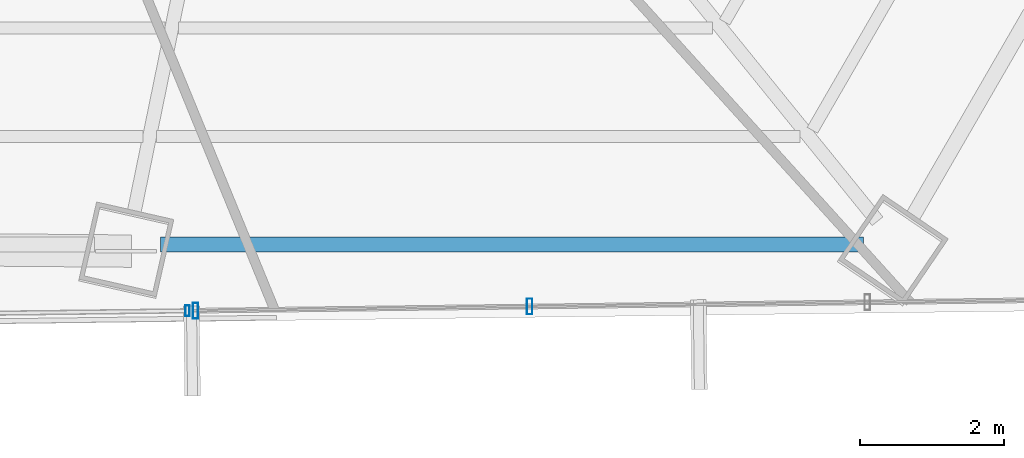
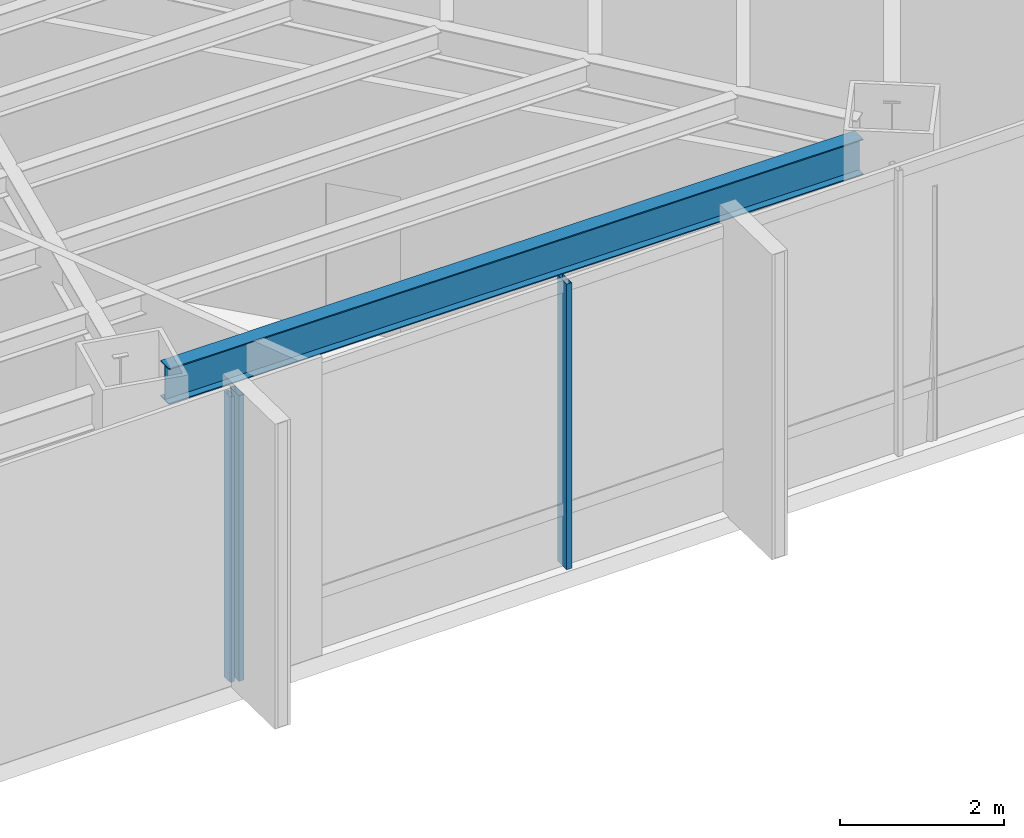
# One storey, part 15 of 37: 3 members, 1 beam, 2 elements without a shape of their own.
"""IFC4 building model written with IfcOpenShell, lengths in metres."""

import ifcopenshell
import ifcopenshell.guid

model = None  # the IFC model being written
_history = None  # IfcOwnerHistory: only IFC2X3 demands one
_inside = {}  # id of a spatial element -> (the spatial element, [elements in it])
_under = {}  # id of a project, library or spatial element -> (it, [spatial elements below it])
_declared = {}  # id of a project -> (the project, [libraries it declares])
_typed = {}  # id of a type object -> (the type object, [elements of that type])
_made_of = {}  # id of a material, layer set ... -> (it, [elements and type objects made of it])


def new_model(schema):
    """Start an empty IFC model of exactly this schema.

    Asked for "IFC4X3", IfcOpenShell would pick the latest addendum, in which some entities
    have other attributes; the version numbers below select the first issue.
    IFC2X3 requires an IfcOwnerHistory on every rooted entity: one is made here for all.
    """
    global model, _history
    if schema == "IFC4X3":
        model = ifcopenshell.file(schema_version=(4, 3, 0, 0))
    else:
        model = ifcopenshell.file(schema=schema)
    _inside.clear()
    _under.clear()
    _declared.clear()
    _typed.clear()
    _made_of.clear()
    _history = None
    if model.schema == "IFC2X3":
        org = make("IfcOrganization", Name="unknown")
        user = make(
            "IfcPersonAndOrganization",
            ThePerson=make("IfcPerson", FamilyName="unknown"),
            TheOrganization=org,
        )
        app = make(
            "IfcApplication",
            ApplicationDeveloper=org,
            Version="unknown",
            ApplicationFullName="unknown",
            ApplicationIdentifier="unknown",
        )
        _history = make(
            "IfcOwnerHistory",
            OwningUser=user,
            OwningApplication=app,
            ChangeAction="ADDED",
            CreationDate=0,
        )
    return model


def make(cls, **values):
    """One entity of the class cls with the attributes given. An attribute that is None is left unset."""
    return model.create_entity(
        cls, **{name: value for name, value in values.items() if value is not None}
    )


def rooted(cls, **values):
    """An entity with a GlobalId (a new one), such as an element, a storey or a relation."""
    return make(cls, GlobalId=ifcopenshell.guid.new(), OwnerHistory=_history, **values)


def si_unit(unit_type, name, prefix=None):
    """IfcSIUnit, for example si_unit("LENGTHUNIT", "METRE", prefix="MILLI")."""
    return make("IfcSIUnit", UnitType=unit_type, Prefix=prefix, Name=name)


def assignment(units):
    """IfcUnitAssignment: the units of a project."""
    return None if units is None else make("IfcUnitAssignment", Units=units)


def point(xyz):
    """IfcCartesianPoint."""
    return None if xyz is None else make("IfcCartesianPoint", Coordinates=xyz)


def direction(xyz):
    """IfcDirection."""
    return None if xyz is None else make("IfcDirection", DirectionRatios=xyz)


def frame(location, z_axis=None, x_axis=None):
    """IfcAxis2Placement3D, a coordinate frame: its origin and axes. An axis left out is left unset."""
    return make(
        "IfcAxis2Placement3D",
        Location=point(location),
        Axis=direction(z_axis),
        RefDirection=direction(x_axis),
    )


def frame_2d(location, x_axis=None):
    """IfcAxis2Placement2D, a coordinate frame in the plane: its origin and x axis."""
    return make(
        "IfcAxis2Placement2D", Location=point(location), RefDirection=direction(x_axis)
    )


def origin():
    """The frame at (0, 0, 0) with its axes left unset."""
    return frame((0.0, 0.0, 0.0))


def origin_2d():
    """The frame at (0, 0) in the plane with its x axis left unset."""
    return frame_2d((0.0, 0.0))


def place(relative_to, where):
    """IfcLocalPlacement: puts the frame where relative to a parent placement (None: the world)."""
    return make(
        "IfcLocalPlacement", PlacementRelTo=relative_to, RelativePlacement=where
    )


def context(
    kind, dimensions, precision=None, world=None, true_north=None, identifier=None
):
    """IfcGeometricRepresentationContext, for example the 3D "Model" context."""
    return make(
        "IfcGeometricRepresentationContext",
        ContextIdentifier=identifier,
        ContextType=kind,
        CoordinateSpaceDimension=dimensions,
        Precision=precision,
        WorldCoordinateSystem=world,
        TrueNorth=true_north,
    )


def subcontext(parent, identifier, kind, view, scale=None):
    """IfcGeometricRepresentationSubContext, for example "Body" below "Model"."""
    return make(
        "IfcGeometricRepresentationSubContext",
        ContextIdentifier=identifier,
        ContextType=kind,
        ParentContext=parent,
        TargetScale=scale,
        TargetView=view,
    )


def project(units=None, contexts=None):
    """IfcProject with its units and contexts."""
    return rooted(
        "IfcProject",
        Name="project",
        RepresentationContexts=contexts,
        UnitsInContext=assignment(units),
    )


def spatial(cls, under=None, at=None, **own):
    """A site, building, storey or space (cls), placed at a placement, below another one or the project."""
    s = rooted(cls, ObjectPlacement=at, **own)
    if under is not None:
        _under.setdefault(under.id(), (under, []))[1].append(s)
    return s


def profile(cls, at=None, kind="AREA", **sizes):
    """A parametric profile (cls). Its sizes go by their IFC names, for example OverallWidth=200.0."""
    return make(cls, ProfileType=kind, Position=at, **sizes)


def hollow_rectangle(**sizes):
    """IfcRectangleHollowProfileDef."""
    return profile("IfcRectangleHollowProfileDef", **sizes)


def i_section(**sizes):
    """IfcIShapeProfileDef."""
    return profile("IfcIShapeProfileDef", **sizes)


def extrude(swept, where, along, depth):
    """IfcExtrudedAreaSolid: the profile swept, set in the frame where, extruded along a direction by depth."""
    return make(
        "IfcExtrudedAreaSolid",
        SweptArea=swept,
        Position=where,
        ExtrudedDirection=direction(along),
        Depth=depth,
    )


def shape(context_of_items, identifier, shape_type, items):
    """IfcShapeRepresentation: the items that make up one representation, for example the "Body"."""
    return make(
        "IfcShapeRepresentation",
        ContextOfItems=context_of_items,
        RepresentationIdentifier=identifier,
        RepresentationType=shape_type,
        Items=items,
    )


def source(mapping_origin, context_of_items, identifier, shape_type, items):
    """IfcRepresentationMap: a shape defined once, which mapped items show again and again."""
    return make(
        "IfcRepresentationMap",
        MappingOrigin=mapping_origin,
        MappedRepresentation=shape(context_of_items, identifier, shape_type, items),
    )


def transform(
    local_origin,
    x_axis=None,
    y_axis=None,
    z_axis=None,
    scale=None,
    scale2=None,
    scale3=None,
    uniform=True,
):
    """IfcCartesianTransformationOperator3D, or its non-uniform kind. x_axis, y_axis, z_axis: its Axis1, 2, 3."""
    if uniform:
        return make(
            "IfcCartesianTransformationOperator3D",
            Axis1=direction(x_axis),
            Axis2=direction(y_axis),
            LocalOrigin=point(local_origin),
            Scale=scale,
            Axis3=direction(z_axis),
        )
    return make(
        "IfcCartesianTransformationOperator3DnonUniform",
        Axis1=direction(x_axis),
        Axis2=direction(y_axis),
        LocalOrigin=point(local_origin),
        Scale=scale,
        Axis3=direction(z_axis),
        Scale2=scale2,
        Scale3=scale3,
    )


def mapped(mapping_source, mapping_target):
    """IfcMappedItem: shows the shape of a source again, moved by a transform."""
    return make(
        "IfcMappedItem", MappingSource=mapping_source, MappingTarget=mapping_target
    )


def material(Name=None, Category=None):
    """IfcMaterial."""
    return make("IfcMaterial", Name=Name, Category=Category)


def material_profile(
    of_material, cross_section, Name=None, Category=None, Priority=None
):
    """IfcMaterialProfile: a cross section and its material."""
    return make(
        "IfcMaterialProfile",
        Name=Name,
        Material=of_material,
        Profile=cross_section,
        Priority=Priority,
        Category=Category,
    )


def profile_set(profiles, Name=None, composite=None):
    """IfcMaterialProfileSet."""
    return make(
        "IfcMaterialProfileSet",
        Name=Name,
        MaterialProfiles=profiles,
        CompositeProfile=composite,
    )


def made_of(thing, what):
    """Note that an element or type object is made of a material, layer set ...; save() writes the relation."""
    if what is not None:
        _made_of.setdefault(what.id(), (what, []))[1].append(thing)
    return thing


def type_object(cls, material=None, **own):
    """A type object (cls), such as IfcWallType, which elements share."""
    return made_of(rooted(cls, **own), material)


def type_shapes(of_type, sources):
    """Give a type object the sources (RepresentationMaps) that its elements show as mapped items."""
    of_type.RepresentationMaps = sources


def element(
    cls,
    number,
    at=None,
    inside=None,
    cuts=None,
    type_object=None,
    material=None,
    context=None,
    identifier="Body",
    shape_type=None,
    held_by="IfcProductDefinitionShape",
    body=None,
    shapes=None,
    **own,
):
    """One element of the class cls, such as IfcWall. Its Tag is "e" and its number.

    at: its placement. inside: the storey or other place that contains it. cuts: it is an
    opening in that element (IfcRelVoidsElement). A single representation is given by context,
    identifier, shape_type and body (its items); several are given by shapes. held_by: the class
    of the entity that holds the representations. save() writes the other relations.
    """
    e = rooted(cls, Tag="e%d" % number, ObjectPlacement=at, **own)
    if body is not None:
        shapes = [shape(context, identifier, shape_type, body)]
    if shapes is not None:
        e.Representation = make(held_by, Representations=shapes)
    if inside is not None:
        _inside.setdefault(inside.id(), (inside, []))[1].append(e)
    if cuts is not None:
        rooted(
            "IfcRelVoidsElement", RelatingBuildingElement=cuts, RelatedOpeningElement=e
        )
    if type_object is not None:
        _typed.setdefault(type_object.id(), (type_object, []))[1].append(e)
    return made_of(e, material)


def aggregate(whole, parts):
    """IfcRelAggregates: a whole, such as a stair, and the parts it consists of."""
    return rooted("IfcRelAggregates", RelatingObject=whole, RelatedObjects=parts)


def save(model, path):
    """Write the relations noted so far, then the file.

    IfcRelAggregates (storeys below a building ...), IfcRelContainedInSpatialStructure (elements
    in a storey), IfcRelDefinesByType, IfcRelAssociatesMaterial and IfcRelDeclares: one each for
    every whole, place, type object, material and project.
    """
    for whole, parts in _under.values():
        aggregate(whole, parts)
    for where, things in _inside.values():
        rooted(
            "IfcRelContainedInSpatialStructure",
            RelatedElements=things,
            RelatingStructure=where,
        )
    for kind, things in _typed.values():
        rooted("IfcRelDefinesByType", RelatedObjects=things, RelatingType=kind)
    for what, things in _made_of.values():
        rooted("IfcRelAssociatesMaterial", RelatedObjects=things, RelatingMaterial=what)
    for by, libraries in _declared.values():
        rooted("IfcRelDeclares", RelatingContext=by, RelatedDefinitions=libraries)
    model.write(path)


model = new_model("IFC4")

# Units and contexts
model_context = context("Model", 3, precision=1e-05, world=origin(), true_north=direction((0.0, 1.0)))
body_context = subcontext(model_context, "Body", "Model", "MODEL_VIEW")
ifc_project = project(units=[si_unit("LENGTHUNIT", "METRE"), si_unit("AREAUNIT", "SQUARE_METRE"), si_unit("VOLUMEUNIT", "CUBIC_METRE"), si_unit("PLANEANGLEUNIT", "RADIAN"), si_unit("MASSUNIT", "GRAM", prefix="KILO")], contexts=[model_context])

# Site, building, storey
site_placement = place(None, origin())
site = spatial("IfcSite", under=ifc_project, at=site_placement, CompositionType="ELEMENT")
building_placement = place(site_placement, origin())
building = spatial("IfcBuilding", under=site, at=building_placement, Name="Caelisora Broadcast Tower", CompositionType="ELEMENT")
storey_placement = place(building_placement, frame((0.0, 0.0, 127.300048828125)))
storey = spatial("IfcBuildingStorey", under=building, at=storey_placement, Name="L33", CompositionType="ELEMENT", Elevation=127.300048828125)

# Beam
ifc_material_1 = material(Name="Steel Grade 350 (AS/NZS 3679.1)", Category="steel")
ifc_material_profile_1 = material_profile(ifc_material_1, i_section(OverallWidth=0.208984375, OverallDepth=0.532958984375, WebThickness=0.01025390625, FlangeThickness=0.015625, at=origin_2d()), Name="Steel Grade 350 (AS/NZS 3679.1)")
ifc_profile_set_1 = profile_set([ifc_material_profile_1], Name="Steel Grade 350 (AS/NZS 3679.1)")
beam_type = type_object("IfcBeamType", Name="PG05", PredefinedType="BEAM", material=ifc_profile_set_1)
shared_shape_1 = source(origin(), body_context, "Body", "SweptSolid", [
    extrude(i_section(OverallWidth=0.208984375, OverallDepth=0.532958984375, WebThickness=0.01025390625, FlangeThickness=0.015625, at=origin_2d()), origin(), (0.0, 0.0, 1.0), 9.7705078125),
])
type_shapes(beam_type, [shared_shape_1])
beam_placement = place(storey_placement, frame((43.80517578125, 6.864013671875, 3.9833984375), z_axis=(1.0, 0.0, 0.0), x_axis=(0.0, 1.0, 0.0)))
element("IfcBeam", 1, at=beam_placement, inside=storey, type_object=beam_type, Name="L33 beam PG05", PredefinedType="BEAM", context=body_context, shape_type="MappedRepresentation", body=[
    mapped(shared_shape_1, transform((0.0, 0.0, 0.0), scale=1.0)),
])

# Curtain wall, members
ifc_material_2 = material(Name="Unitised Aluminium and Low-E Glass Curtain Wall", Category="glass")
curtain_wall_type_1 = type_object("IfcCurtainWallType", Name="CW-SKY", PredefinedType="NOTDEFINED", material=ifc_material_2)
curtain_wall_1_placement = place(storey_placement, origin())
curtain_wall_1 = element("IfcCurtainWall", 2, at=curtain_wall_1_placement, inside=storey, type_object=curtain_wall_type_1, Name="L33 curtain wall CW-SKY", PredefinedType="NOTDEFINED")
ifc_material_3 = material(Name="Aluminium 6063-T6 Anodised Terracotta Bronze", Category="aluminium")
ifc_material_profile_2 = material_profile(ifc_material_3, hollow_rectangle(XDim=0.074951171875, YDim=0.219970703125, WallThickness=0.00390625, at=origin_2d()), Name="Aluminium 6063-T6 Anodised Terracotta Bronze")
ifc_profile_set_2 = profile_set([ifc_material_profile_2], Name="Aluminium 6063-T6 Anodised Terracotta Bronze")
member_type_1 = type_object("IfcMemberType", Name="CWM-01", PredefinedType="MULLION", material=ifc_profile_set_2)
shared_shape_2 = source(origin(), body_context, "Body", "SweptSolid", [
    extrude(hollow_rectangle(XDim=0.074951171875, YDim=0.219970703125, WallThickness=0.00390625, at=origin_2d()), origin(), (0.0, 0.0, 1.0), 4.25),
])
type_shapes(member_type_1, [shared_shape_2])
member_1_placement = place(storey_placement, frame((48.935546875, 6.00439453125, 0.0), z_axis=(0.0, 0.0, 1.0), x_axis=(1.0, 0.0, 0.0)))
member_1 = element("IfcMember", 3, at=member_1_placement, type_object=member_type_1, Name="L33-CW-B05 mullion #2", PredefinedType="MULLION", context=body_context, shape_type="MappedRepresentation", body=[
    mapped(shared_shape_2, transform((0.0, 0.0, 0.0), scale=1.0)),
])
member_2_placement = place(storey_placement, frame((44.29052734375, 5.946044921875, 0.0), z_axis=(0.0, 0.0, 1.0), x_axis=(1.0, 0.0, 0.0)))
member_2 = element("IfcMember", 4, at=member_2_placement, type_object=member_type_1, Name="L33-CW-B05 mullion #3", PredefinedType="MULLION", context=body_context, shape_type="MappedRepresentation", body=[
    mapped(shared_shape_2, transform((0.0, 0.0, 0.0), scale=1.0)),
])
aggregate(curtain_wall_1, [member_1, member_2])

# Curtain wall, member
ifc_material_4 = material(Name="Unitised Aluminium Insulated Shadow-Box Spandrel Curtain Wall", Category="aluminium")
curtain_wall_type_2 = type_object("IfcCurtainWallType", Name="CW-SP2", PredefinedType="NOTDEFINED", material=ifc_material_4)
curtain_wall_2_placement = place(storey_placement, origin())
curtain_wall_2 = element("IfcCurtainWall", 5, at=curtain_wall_2_placement, inside=storey, type_object=curtain_wall_type_2, Name="L33 curtain wall CW-SP2", PredefinedType="NOTDEFINED")
ifc_material_profile_3 = material_profile(ifc_material_3, hollow_rectangle(XDim=0.06005859375, YDim=0.14990234375, WallThickness=0.00341796875, at=origin_2d()), Name="Aluminium 6063-T6 Anodised Terracotta Bronze")
ifc_profile_set_3 = profile_set([ifc_material_profile_3], Name="Aluminium 6063-T6 Anodised Terracotta Bronze")
member_type_2 = type_object("IfcMemberType", Name="CWM-03", PredefinedType="MULLION", material=ifc_profile_set_3)
shared_shape_3 = source(origin(), body_context, "Body", "SweptSolid", [
    extrude(hollow_rectangle(XDim=0.06005859375, YDim=0.14990234375, WallThickness=0.00341796875, at=origin_2d()), origin(), (0.0, 0.0, 1.0), 4.25),
])
type_shapes(member_type_2, [shared_shape_3])
member_3_placement = place(storey_placement, frame((44.180419921875, 5.944580078125, 0.0), z_axis=(0.0, 0.0, 1.0), x_axis=(1.0, 0.0, 0.0)))
member_3 = element("IfcMember", 6, at=member_3_placement, type_object=member_type_2, Name="L33-CW-B06 mullion #0", PredefinedType="MULLION", context=body_context, shape_type="MappedRepresentation", body=[
    mapped(shared_shape_3, transform((0.0, 0.0, 0.0), scale=1.0)),
])
aggregate(curtain_wall_2, [member_3])

save(model, "model.ifc")
